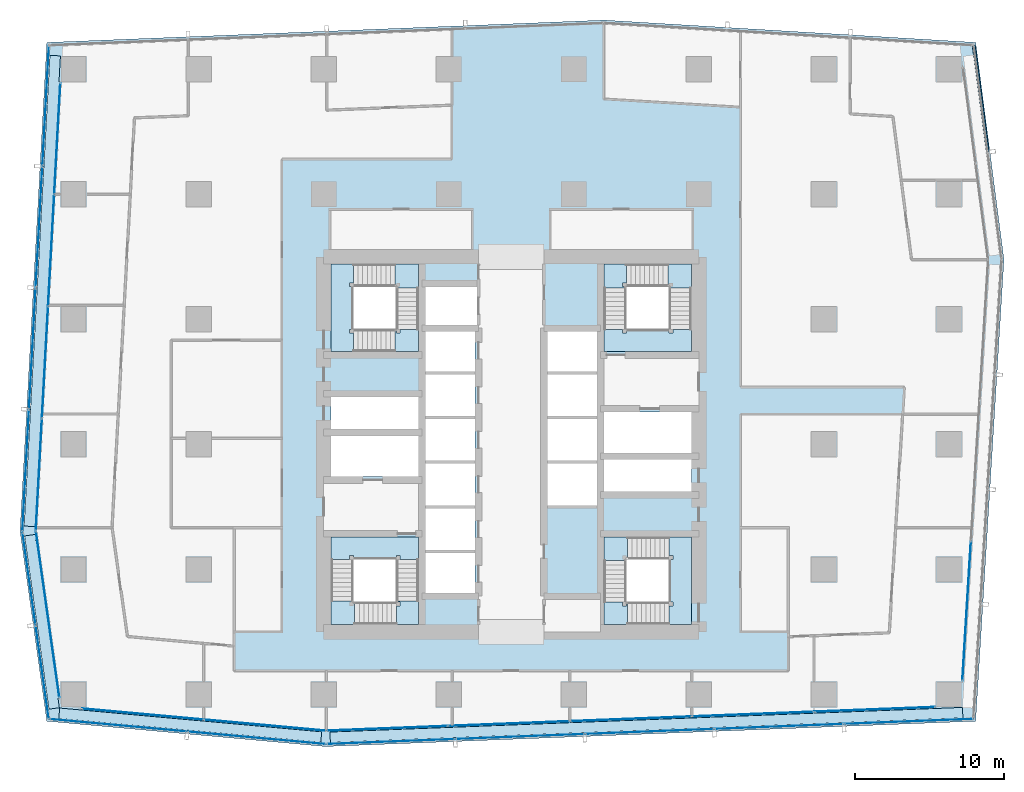
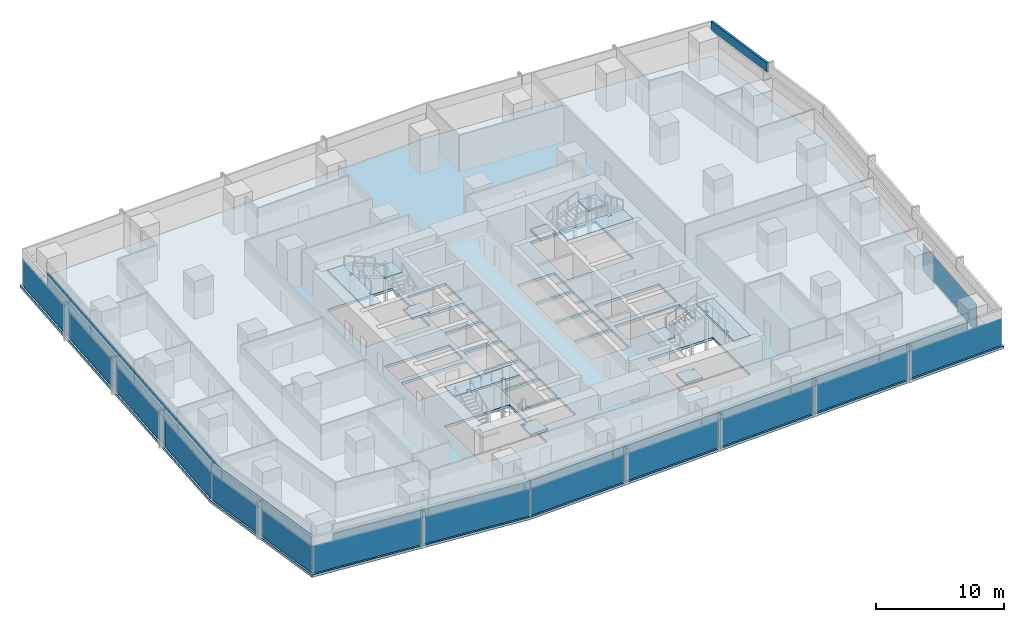
# One storey, part 27 of 40: 30 plates, 13 slabs, 1 member, 14 elements without a shape of their own.
"""IFC4 building model written with IfcOpenShell, lengths in metres."""

from ifc_helpers import new_model, si_unit, direction, frame, origin, origin_2d, place, context, subcontext, project, spatial, polyline, rectangle, hollow_rectangle, outline, extrude, material, layer, layer_set, material_profile, profile_set, type_object, element, aggregate, save


model = new_model("IFC4")

# Units and contexts
model_context = context("Model", 3, precision=1e-05, world=origin(), true_north=direction((0.0, 1.0)))
body_context = subcontext(model_context, "Body", "Model", "MODEL_VIEW")
ifc_project = project(units=[si_unit("LENGTHUNIT", "METRE"), si_unit("AREAUNIT", "SQUARE_METRE"), si_unit("VOLUMEUNIT", "CUBIC_METRE"), si_unit("PLANEANGLEUNIT", "RADIAN"), si_unit("MASSUNIT", "GRAM", prefix="KILO")], contexts=[model_context])

# Site, building, storey
site_placement = place(None, origin())
site = spatial("IfcSite", under=ifc_project, at=site_placement, CompositionType="ELEMENT")
building_placement = place(site_placement, origin())
building = spatial("IfcBuilding", under=site, at=building_placement, Name="Rekha Terrace Tower", CompositionType="ELEMENT")
storey_placement = place(building_placement, frame((0.0, 0.0, 136.550048828125)))
storey = spatial("IfcBuildingStorey", under=building, at=storey_placement, Name="L34", CompositionType="ELEMENT", Elevation=136.550048828125)

# Curtain wall, member
ifc_material_1 = material(Name="Aluminium framing", Category="aluminium")
curtain_wall_type_1 = type_object("IfcCurtainWallType", Name="CW2 double skin outer glazing", PredefinedType="USERDEFINED", material=ifc_material_1)
curtain_wall_1_placement = place(storey_placement, origin())
curtain_wall_1 = element("IfcCurtainWall", 1, at=curtain_wall_1_placement, inside=storey, type_object=curtain_wall_type_1, Name="CW2 double skin outer glazing", ObjectType="DOUBLE SKIN OUTER GLAZING", PredefinedType="USERDEFINED")
ifc_material_2 = material(Name="Insulated aluminium spandrel box", Category="aluminium")
ifc_material_profile = material_profile(ifc_material_2, hollow_rectangle(XDim=0.199951171875, YDim=0.89990234375, WallThickness=0.0029296875, at=origin_2d()), Name="AL SPANDREL BOX 200x900")
ifc_profile_set = profile_set([ifc_material_profile], Name="Insulated aluminium spandrel box")
member_type = type_object("IfcMemberType", Name="CW2 spandrel transom 200 x 900", PredefinedType="USERDEFINED", material=ifc_profile_set)
member_placement = place(storey_placement, frame((69.793701171875, 53.26513671875, 3.050048828125), z_axis=(-0.12912937971, 0.9916277544, 0.0), x_axis=(-0.9916277544, -0.12912937971, 0.0)))
member = element("IfcMember", 2, at=member_placement, type_object=member_type, Name="CW2 spandrel transom 2", ObjectType="TRANSOM", PredefinedType="USERDEFINED", context=body_context, shape_type="SweptSolid", body=[
    extrude(hollow_rectangle(XDim=0.199951171875, YDim=0.89990234375, WallThickness=0.0029296875, at=origin_2d()), origin(), (0.0, 0.0, 1.0), 7.163818359375),
])
aggregate(curtain_wall_1, [member])

# Curtain wall, plates
curtain_wall_type_2 = type_object("IfcCurtainWallType", Name="CW1 double skin inner glazing", PredefinedType="USERDEFINED", material=ifc_material_1)
curtain_wall_2_placement = place(storey_placement, origin())
curtain_wall_2 = element("IfcCurtainWall", 3, at=curtain_wall_2_placement, inside=storey, type_object=curtain_wall_type_2, Name="CW1 double skin inner glazing", ObjectType="DOUBLE SKIN INNER GLAZING", PredefinedType="USERDEFINED")
ifc_material_3 = material(Name="Double-glazed low-e unit 32", Category="glass")
ifc_layer_1 = layer(ifc_material_3, 0.031982421875)
ifc_layer_set_1 = layer_set([ifc_layer_1], Name="Double-glazed low-e unit 32")
plate_type_1 = type_object("IfcPlateType", Name="CW1 jumbo vision panel, double-glazed low-e unit 32", PredefinedType="CURTAIN_PANEL", material=ifc_layer_set_1)
plate_1_placement = place(storey_placement, frame((13.0439453125, 15.479248046875, 0.0), z_axis=(0.0, 0.0, 1.0), x_axis=(0.995901923142, -0.090439811381, 0.0)))
plate_1 = element("IfcPlate", 4, at=plate_1_placement, type_object=plate_type_1, Name="CW1 panel 1.1", PredefinedType="CURTAIN_PANEL", context=body_context, shape_type="SweptSolid", body=[
    extrude(rectangle(XDim=8.1494140625, YDim=0.031982421875, at=origin_2d()), origin(), (0.0, 0.0, 1.0), 2.60009765625),
])
plate_2_placement = place(storey_placement, frame((21.257080078125, 14.7333984375, 0.0), z_axis=(0.0, 0.0, 1.0), x_axis=(0.995901923142, -0.090439811381, 0.0)))
plate_2 = element("IfcPlate", 5, at=plate_2_placement, type_object=plate_type_1, Name="CW1 panel 2.1", PredefinedType="CURTAIN_PANEL", context=body_context, shape_type="SweptSolid", body=[
    extrude(rectangle(XDim=8.214599609375, YDim=0.031982421875, at=origin_2d()), origin(), (0.0, 0.0, 1.0), 2.60009765625),
])
aggregate(curtain_wall_2, [plate_1, plate_2])

curtain_wall_3_placement = place(storey_placement, origin())
curtain_wall_3 = element("IfcCurtainWall", 6, at=curtain_wall_3_placement, inside=storey, type_object=curtain_wall_type_2, Name="CW1 double skin inner glazing", ObjectType="DOUBLE SKIN INNER GLAZING", PredefinedType="USERDEFINED")
plate_3_placement = place(storey_placement, frame((29.4619140625, 14.52197265625, 0.0), z_axis=(0.0, 0.0, 1.0), x_axis=(0.999243498917, 0.038889971345, 0.0)))
plate_3 = element("IfcPlate", 7, at=plate_3_placement, type_object=plate_type_1, Name="CW1 panel 1.1", PredefinedType="CURTAIN_PANEL", context=body_context, shape_type="SweptSolid", body=[
    extrude(rectangle(XDim=8.105224609375, YDim=0.031982421875, at=origin_2d()), origin(), (0.0, 0.0, 1.0), 2.60009765625),
])
plate_4_placement = place(storey_placement, frame((37.64208984375, 14.84033203125, 0.0), z_axis=(0.0, 0.0, 1.0), x_axis=(0.999243498917, 0.038889971345, 0.0)))
plate_4 = element("IfcPlate", 8, at=plate_4_placement, type_object=plate_type_1, Name="CW1 panel 2.1", PredefinedType="CURTAIN_PANEL", context=body_context, shape_type="SweptSolid", body=[
    extrude(rectangle(XDim=8.1376953125, YDim=0.031982421875, at=origin_2d()), origin(), (0.0, 0.0, 1.0), 2.60009765625),
])
plate_5_placement = place(storey_placement, frame((45.838623046875, 15.159423828125, 0.0), z_axis=(0.0, 0.0, 1.0), x_axis=(0.999243498917, 0.038889971345, 0.0)))
plate_5 = element("IfcPlate", 9, at=plate_5_placement, type_object=plate_type_1, Name="CW1 panel 3.1", PredefinedType="CURTAIN_PANEL", context=body_context, shape_type="SweptSolid", body=[
    extrude(rectangle(XDim=8.1376953125, YDim=0.031982421875, at=origin_2d()), origin(), (0.0, 0.0, 1.0), 2.60009765625),
])
plate_6_placement = place(storey_placement, frame((54.034912109375, 15.478271484375, 0.0), z_axis=(0.0, 0.0, 1.0), x_axis=(0.999243498917, 0.038889971345, 0.0)))
plate_6 = element("IfcPlate", 10, at=plate_6_placement, type_object=plate_type_1, Name="CW1 panel 4.1", PredefinedType="CURTAIN_PANEL", context=body_context, shape_type="SweptSolid", body=[
    extrude(rectangle(XDim=8.1376953125, YDim=0.031982421875, at=origin_2d()), origin(), (0.0, 0.0, 1.0), 2.60009765625),
])
plate_7_placement = place(storey_placement, frame((62.21533203125, 15.796630859375, 0.0), z_axis=(0.0, 0.0, 1.0), x_axis=(0.999243498917, 0.038889971345, 0.0)))
plate_7 = element("IfcPlate", 11, at=plate_7_placement, type_object=plate_type_1, Name="CW1 panel 5.1", PredefinedType="CURTAIN_PANEL", context=body_context, shape_type="SweptSolid", body=[
    extrude(rectangle(XDim=8.105224609375, YDim=0.031982421875, at=origin_2d()), origin(), (0.0, 0.0, 1.0), 2.60009765625),
])
aggregate(curtain_wall_3, [plate_3, plate_4, plate_5, plate_6, plate_7])

# Curtain wall, plate
curtain_wall_4_placement = place(storey_placement, origin())
curtain_wall_4 = element("IfcCurtainWall", 12, at=curtain_wall_4_placement, inside=storey, type_object=curtain_wall_type_2, Name="CW1 double skin inner glazing", ObjectType="DOUBLE SKIN INNER GLAZING", PredefinedType="USERDEFINED")
plate_8_placement = place(storey_placement, frame((68.391357421875, 22.400634765625, 0.0), z_axis=(0.0, 0.0, 1.0), x_axis=(0.061159803131, 0.998127987024, 0.0)))
plate_8 = element("IfcPlate", 13, at=plate_8_placement, type_object=plate_type_1, Name="CW1 panel 1.1", PredefinedType="CURTAIN_PANEL", context=body_context, shape_type="SweptSolid", body=[
    extrude(rectangle(XDim=9.355224609375, YDim=0.031982421875, at=origin_2d()), origin(), (0.0, 0.0, 1.0), 2.60009765625),
])
aggregate(curtain_wall_4, [plate_8])

# Curtain wall, plates
curtain_wall_5_placement = place(storey_placement, origin())
curtain_wall_5 = element("IfcCurtainWall", 14, at=curtain_wall_5_placement, inside=storey, type_object=curtain_wall_type_2, Name="CW1 double skin inner glazing", ObjectType="DOUBLE SKIN INNER GLAZING", PredefinedType="USERDEFINED")
plate_9_placement = place(storey_placement, frame((7.30810546875, 54.15087890625, 0.0), z_axis=(0.0, 0.0, 1.0), x_axis=(-0.054742352707, -0.99850051318, 0.0)))
plate_9 = element("IfcPlate", 15, at=plate_9_placement, type_object=plate_type_1, Name="CW1 panel 1.1", PredefinedType="CURTAIN_PANEL", context=body_context, shape_type="SweptSolid", body=[
    extrude(rectangle(XDim=7.443359375, YDim=0.031982421875, at=origin_2d()), origin(), (0.0, 0.0, 1.0), 2.60009765625),
])
plate_10_placement = place(storey_placement, frame((6.89599609375, 46.637451171875, 0.0), z_axis=(0.0, 0.0, 1.0), x_axis=(-0.054742352707, -0.99850051318, 0.0)))
plate_10 = element("IfcPlate", 16, at=plate_10_placement, type_object=plate_type_1, Name="CW1 panel 2.1", PredefinedType="CURTAIN_PANEL", context=body_context, shape_type="SweptSolid", body=[
    extrude(rectangle(XDim=7.475830078125, YDim=0.031982421875, at=origin_2d()), origin(), (0.0, 0.0, 1.0), 2.60009765625),
])
plate_11_placement = place(storey_placement, frame((6.4833984375, 39.10791015625, 0.0), z_axis=(0.0, 0.0, 1.0), x_axis=(-0.054742352707, -0.99850051318, 0.0)))
plate_11 = element("IfcPlate", 17, at=plate_11_placement, type_object=plate_type_1, Name="CW1 panel 3.1", PredefinedType="CURTAIN_PANEL", context=body_context, shape_type="SweptSolid", body=[
    extrude(rectangle(XDim=7.475830078125, YDim=0.031982421875, at=origin_2d()), origin(), (0.0, 0.0, 1.0), 2.60009765625),
])
plate_12_placement = place(storey_placement, frame((6.069580078125, 31.56201171875, 0.0), z_axis=(0.0, 0.0, 1.0), x_axis=(-0.054742352707, -0.99850051318, 0.0)))
plate_12 = element("IfcPlate", 18, at=plate_12_placement, type_object=plate_type_1, Name="CW1 panel 4.1", PredefinedType="CURTAIN_PANEL", context=body_context, shape_type="SweptSolid", body=[
    extrude(rectangle(XDim=7.508544921875, YDim=0.031982421875, at=origin_2d()), origin(), (0.0, 0.0, 1.0), 2.60009765625),
])
aggregate(curtain_wall_5, [plate_9, plate_10, plate_11, plate_12])

# Curtain wall, plate
curtain_wall_6_placement = place(storey_placement, origin())
curtain_wall_6 = element("IfcCurtainWall", 19, at=curtain_wall_6_placement, inside=storey, type_object=curtain_wall_type_2, Name="CW1 double skin inner glazing", ObjectType="DOUBLE SKIN INNER GLAZING", PredefinedType="USERDEFINED")
plate_13_placement = place(storey_placement, frame((6.65869140625, 22.177490234375, 0.0), z_axis=(0.0, 0.0, 1.0), x_axis=(0.139597048082, -0.990208394312, 0.0)))
plate_13 = element("IfcPlate", 20, at=plate_13_placement, type_object=plate_type_1, Name="CW1 panel 1.1", PredefinedType="CURTAIN_PANEL", context=body_context, shape_type="SweptSolid", body=[
    extrude(rectangle(XDim=11.253173828125, YDim=0.031982421875, at=origin_2d()), origin(), (0.0, 0.0, 1.0), 2.60009765625),
])
aggregate(curtain_wall_6, [plate_13])

# Curtain wall, plates
curtain_wall_7_placement = place(storey_placement, origin())
curtain_wall_7 = element("IfcCurtainWall", 21, at=curtain_wall_7_placement, inside=storey, type_object=curtain_wall_type_1, Name="CW2 double skin outer glazing", ObjectType="DOUBLE SKIN OUTER GLAZING", PredefinedType="USERDEFINED")
ifc_material_4 = material(Name="Toughened single glazing 12", Category="glass")
ifc_layer_2 = layer(ifc_material_4, 0.011962890625)
ifc_layer_set_2 = layer_set([ifc_layer_2], Name="Toughened single glazing 12")
plate_type_2 = type_object("IfcPlateType", Name="CW2 jumbo vision panel, toughened single glazing 12", PredefinedType="CURTAIN_PANEL", material=ifc_layer_set_2)
plate_14_placement = place(storey_placement, frame((11.406494140625, 14.72412109375, 0.0), z_axis=(0.0, 0.0, 1.0), x_axis=(0.995901923137, -0.090439811433, 0.0)))
plate_14 = element("IfcPlate", 22, at=plate_14_placement, type_object=plate_type_2, Name="CW2 panel 1.1", PredefinedType="CURTAIN_PANEL", context=body_context, shape_type="SweptSolid", body=[
    extrude(rectangle(XDim=9.2099609375, YDim=0.011962890625, at=origin_2d()), origin(), (0.0, 0.0, 1.0), 2.60009765625),
])
plate_15_placement = place(storey_placement, frame((20.6982421875, 13.88037109375, 0.0), z_axis=(0.0, 0.0, 1.0), x_axis=(0.995901923137, -0.090439811433, 0.0)))
plate_15 = element("IfcPlate", 23, at=plate_15_placement, type_object=plate_type_2, Name="CW2 panel 2.1", PredefinedType="CURTAIN_PANEL", context=body_context, shape_type="SweptSolid", body=[
    extrude(rectangle(XDim=9.2900390625, YDim=0.011962890625, at=origin_2d()), origin(), (0.0, 0.0, 1.0), 2.60009765625),
])
aggregate(curtain_wall_7, [plate_14, plate_15])

curtain_wall_8_placement = place(storey_placement, origin())
curtain_wall_8 = element("IfcCurtainWall", 24, at=curtain_wall_8_placement, inside=storey, type_object=curtain_wall_type_1, Name="CW2 double skin outer glazing", ObjectType="DOUBLE SKIN OUTER GLAZING", PredefinedType="USERDEFINED")
plate_16_placement = place(storey_placement, frame((29.696533203125, 13.63037109375, 0.0), z_axis=(0.0, 0.0, 1.0), x_axis=(0.999243498917, 0.038889971345, 0.0)))
plate_16 = element("IfcPlate", 25, at=plate_16_placement, type_object=plate_type_2, Name="CW2 panel 1.1", PredefinedType="CURTAIN_PANEL", context=body_context, shape_type="SweptSolid", body=[
    extrude(rectangle(XDim=8.591552734375, YDim=0.011962890625, at=origin_2d()), origin(), (0.0, 0.0, 1.0), 2.60009765625),
])
plate_17_placement = place(storey_placement, frame((38.381591796875, 13.968505859375, 0.0), z_axis=(0.0, 0.0, 1.0), x_axis=(0.999243498917, 0.038889971345, 0.0)))
plate_17 = element("IfcPlate", 26, at=plate_17_placement, type_object=plate_type_2, Name="CW2 panel 2.1", PredefinedType="CURTAIN_PANEL", context=body_context, shape_type="SweptSolid", body=[
    extrude(rectangle(XDim=8.631591796875, YDim=0.011962890625, at=origin_2d()), origin(), (0.0, 0.0, 1.0), 2.60009765625),
])
plate_18_placement = place(storey_placement, frame((47.086669921875, 14.307373046875, 0.0), z_axis=(0.0, 0.0, 1.0), x_axis=(0.999243498917, 0.038889971345, 0.0)))
plate_18 = element("IfcPlate", 27, at=plate_18_placement, type_object=plate_type_2, Name="CW2 panel 3.1", PredefinedType="CURTAIN_PANEL", context=body_context, shape_type="SweptSolid", body=[
    extrude(rectangle(XDim=8.631591796875, YDim=0.011962890625, at=origin_2d()), origin(), (0.0, 0.0, 1.0), 2.60009765625),
])
plate_19_placement = place(storey_placement, frame((55.791748046875, 14.64599609375, 0.0), z_axis=(0.0, 0.0, 1.0), x_axis=(0.999243498917, 0.038889971345, 0.0)))
plate_19 = element("IfcPlate", 28, at=plate_19_placement, type_object=plate_type_2, Name="CW2 panel 4.1", PredefinedType="CURTAIN_PANEL", context=body_context, shape_type="SweptSolid", body=[
    extrude(rectangle(XDim=8.631591796875, YDim=0.011962890625, at=origin_2d()), origin(), (0.0, 0.0, 1.0), 2.60009765625),
])
plate_20_placement = place(storey_placement, frame((64.5166015625, 14.985595703125, 0.0), z_axis=(0.0, 0.0, 1.0), x_axis=(0.999243498917, 0.038889971345, 0.0)))
plate_20 = element("IfcPlate", 29, at=plate_20_placement, type_object=plate_type_2, Name="CW2 panel 5.1", PredefinedType="CURTAIN_PANEL", context=body_context, shape_type="SweptSolid", body=[
    extrude(rectangle(XDim=8.671630859375, YDim=0.011962890625, at=origin_2d()), origin(), (0.0, 0.0, 1.0), 2.60009765625),
])
aggregate(curtain_wall_8, [plate_16, plate_17, plate_18, plate_19, plate_20])

curtain_wall_9_placement = place(storey_placement, origin())
curtain_wall_9 = element("IfcCurtainWall", 30, at=curtain_wall_9_placement, inside=storey, type_object=curtain_wall_type_1, Name="CW2 double skin outer glazing", ObjectType="DOUBLE SKIN OUTER GLAZING", PredefinedType="USERDEFINED")
plate_21_placement = place(storey_placement, frame((6.52685546875, 56.342041015625, 0.0), z_axis=(0.0, 0.0, 1.0), x_axis=(-0.054742352707, -0.99850051318, 0.0)))
plate_21 = element("IfcPlate", 31, at=plate_21_placement, type_object=plate_type_2, Name="CW2 panel 1.1", PredefinedType="CURTAIN_PANEL", context=body_context, shape_type="SweptSolid", body=[
    extrude(rectangle(XDim=8.06005859375, YDim=0.011962890625, at=origin_2d()), origin(), (0.0, 0.0, 1.0), 2.60009765625),
])
plate_22_placement = place(storey_placement, frame((6.080078125, 48.1943359375, 0.0), z_axis=(0.0, 0.0, 1.0), x_axis=(-0.054742352707, -0.99850051318, 0.0)))
plate_22 = element("IfcPlate", 32, at=plate_22_placement, type_object=plate_type_2, Name="CW2 panel 2.1", PredefinedType="CURTAIN_PANEL", context=body_context, shape_type="SweptSolid", body=[
    extrude(rectangle(XDim=8.10009765625, YDim=0.011962890625, at=origin_2d()), origin(), (0.0, 0.0, 1.0), 2.60009765625),
])
plate_23_placement = place(storey_placement, frame((5.63232421875, 40.026611328125, 0.0), z_axis=(0.0, 0.0, 1.0), x_axis=(-0.054742352707, -0.99850051318, 0.0)))
plate_23 = element("IfcPlate", 33, at=plate_23_placement, type_object=plate_type_2, Name="CW2 panel 3.1", PredefinedType="CURTAIN_PANEL", context=body_context, shape_type="SweptSolid", body=[
    extrude(rectangle(XDim=8.10009765625, YDim=0.011962890625, at=origin_2d()), origin(), (0.0, 0.0, 1.0), 2.60009765625),
])
plate_24_placement = place(storey_placement, frame((5.183349609375, 31.8388671875, 0.0), z_axis=(0.0, 0.0, 1.0), x_axis=(-0.054742352707, -0.99850051318, 0.0)))
plate_24 = element("IfcPlate", 34, at=plate_24_placement, type_object=plate_type_2, Name="CW2 panel 4.1", PredefinedType="CURTAIN_PANEL", context=body_context, shape_type="SweptSolid", body=[
    extrude(rectangle(XDim=8.14013671875, YDim=0.011962890625, at=origin_2d()), origin(), (0.0, 0.0, 1.0), 2.60009765625),
])
aggregate(curtain_wall_9, [plate_21, plate_22, plate_23, plate_24])

curtain_wall_10_placement = place(storey_placement, origin())
curtain_wall_10 = element("IfcCurtainWall", 35, at=curtain_wall_10_placement, inside=storey, type_object=curtain_wall_type_1, Name="CW2 double skin outer glazing", ObjectType="DOUBLE SKIN OUTER GLAZING", PredefinedType="USERDEFINED")
plate_25_placement = place(storey_placement, frame((5.408447265625, 24.598388671875, 0.0), z_axis=(0.0, 0.0, 1.0), x_axis=(0.139597048082, -0.990208394312, 0.0)))
plate_25 = element("IfcPlate", 36, at=plate_25_placement, type_object=plate_type_2, Name="CW2 panel 1.1", PredefinedType="CURTAIN_PANEL", context=body_context, shape_type="SweptSolid", body=[
    extrude(rectangle(XDim=6.255859375, YDim=0.011962890625, at=origin_2d()), origin(), (0.0, 0.0, 1.0), 2.60009765625),
])
plate_26_placement = place(storey_placement, frame((6.298583984375, 18.284912109375, 0.0), z_axis=(0.0, 0.0, 1.0), x_axis=(0.139597048082, -0.990208394312, 0.0)))
plate_26 = element("IfcPlate", 37, at=plate_26_placement, type_object=plate_type_2, Name="CW2 panel 2.1", PredefinedType="CURTAIN_PANEL", context=body_context, shape_type="SweptSolid", body=[
    extrude(rectangle(XDim=6.3359375, YDim=0.011962890625, at=origin_2d()), origin(), (0.0, 0.0, 1.0), 2.60009765625),
])
aggregate(curtain_wall_10, [plate_25, plate_26])

# Plates
ifc_material_5 = material(Name="Galvanised steel open grating", Category="steel")
ifc_layer_3 = layer(ifc_material_5, 0.050048828125)
ifc_layer_set_3 = layer_set([ifc_layer_3], Name="Galvanised steel open grating")
plate_type_3 = type_object("IfcPlateType", Name="GT1 cavity walkway grating 50", PredefinedType="USERDEFINED", material=ifc_layer_set_3)
plate_27_placement = place(storey_placement, frame((16.236083984375, 14.737548828125, 0.0), z_axis=(0.0, 0.0, 1.0), x_axis=(0.99590192314, -0.090439811399, 0.0)))
element("IfcPlate", 38, at=plate_27_placement, inside=storey, type_object=plate_type_3, Name="Cavity walkway grating", ObjectType="CAVITY WALKWAY GRATING", PredefinedType="USERDEFINED", context=body_context, shape_type="SweptSolid", body=[
    extrude(rectangle(XDim=17.674072265625, YDim=0.705078125, at=origin_2d()), origin(), (0.0, 0.0, 1.0), 0.050048828125),
])
plate_28_placement = place(storey_placement, frame((46.88037109375, 14.74951171875, 0.0), z_axis=(0.0, 0.0, 1.0), x_axis=(0.999243498917, 0.038889971345, 0.0)))
element("IfcPlate", 39, at=plate_28_placement, inside=storey, type_object=plate_type_3, Name="Cavity walkway grating", ObjectType="CAVITY WALKWAY GRATING", PredefinedType="USERDEFINED", context=body_context, shape_type="SweptSolid", body=[
    extrude(rectangle(XDim=42.521728515625, YDim=0.705078125, at=origin_2d()), origin(), (0.0, 0.0, 1.0), 0.050048828125),
])
plate_29_placement = place(storey_placement, frame((6.295654296875, 43.9033203125, 0.0), z_axis=(0.0, 0.0, 1.0), x_axis=(-0.05474235269, -0.998500513181, 0.0)))
element("IfcPlate", 40, at=plate_29_placement, inside=storey, type_object=plate_type_3, Name="Cavity walkway grating", ObjectType="CAVITY WALKWAY GRATING", PredefinedType="USERDEFINED", context=body_context, shape_type="SweptSolid", body=[
    extrude(rectangle(XDim=31.6669921875, YDim=0.705078125, at=origin_2d()), origin(), (0.0, 0.0, 1.0), 0.050048828125),
])
plate_30_placement = place(storey_placement, frame((6.2744140625, 21.678955078125, 0.0), z_axis=(0.0, 0.0, 1.0), x_axis=(0.139597048064, -0.990208394315, 0.0)))
element("IfcPlate", 41, at=plate_30_placement, inside=storey, type_object=plate_type_3, Name="Cavity walkway grating", ObjectType="CAVITY WALKWAY GRATING", PredefinedType="USERDEFINED", context=body_context, shape_type="SweptSolid", body=[
    extrude(rectangle(XDim=11.751220703125, YDim=0.705078125, at=origin_2d()), origin(), (0.0, 0.0, 1.0), 0.050048828125),
])

# Stair, slabs
ifc_material_6 = material(Name="Concrete M40", Category="concrete")
stair_type = type_object("IfcStairType", Name="ST30 stair, 30 risers of 125, going 310, 1500 wide flights, 3 flights", PredefinedType="HALF_TURN_STAIR", material=ifc_material_6)
stair_1_placement = place(storey_placement, origin())
stair_1 = element("IfcStair", 42, at=stair_1_placement, inside=storey, type_object=stair_type, Name="Stair ST1 L34 to L35", PredefinedType="HALF_TURN_STAIR")
ifc_layer_4 = layer(ifc_material_6, 0.199951171875)
ifc_layer_set_4 = layer_set([ifc_layer_4], Name="Concrete M40")
slab_type_1 = type_object("IfcSlabType", Name="LD1 200 concrete stair landing", PredefinedType="LANDING", material=ifc_layer_set_4)
slab_1_placement = place(storey_placement, frame((0.0, 0.0, 1.050048828125)))
slab_1 = element("IfcSlab", 43, at=slab_1_placement, type_object=slab_type_1, Name="ST1 landing 1", PredefinedType="LANDING", context=body_context, shape_type="SweptSolid", body=[
    extrude(outline(polyline([(30.074951171875, 21.5), (31.574951171875, 21.5), (31.574951171875, 23.0849609375), (30.074951171875, 23.0849609375), (30.074951171875, 23.0), (30.324951171875, 23.0), (30.324951171875, 22.75), (30.074951171875, 22.75), (30.074951171875, 21.5)])), origin(), (0.0, 0.0, 1.0), 0.199951171875),
])
slab_2_placement = place(storey_placement, frame((0.0, 0.0, 2.300048828125)))
slab_2 = element("IfcSlab", 44, at=slab_2_placement, type_object=slab_type_1, Name="ST1 landing 2", PredefinedType="LANDING", context=body_context, shape_type="SweptSolid", body=[
    extrude(outline(polyline([(27.199951171875, 23.0849609375), (25.699951171875, 23.0849609375), (25.699951171875, 21.5), (27.284912109375, 21.5), (27.284912109375, 23.0), (27.199951171875, 23.0), (27.199951171875, 23.0849609375)])), origin(), (0.0, 0.0, 1.0), 0.199951171875),
])
slab_3_placement = place(storey_placement, frame((0.0, 0.0, 3.550048828125)))
slab_3 = element("IfcSlab", 45, at=slab_3_placement, type_object=slab_type_1, Name="ST1 landing 3", PredefinedType="LANDING", context=body_context, shape_type="SweptSolid", body=[
    extrude(outline(polyline([(31.574951171875, 25.875), (31.574951171875, 27.375), (25.699951171875, 27.375), (25.699951171875, 25.875), (26.949951171875, 25.875), (26.949951171875, 26.125), (27.199951171875, 26.125), (27.199951171875, 25.875), (30.074951171875, 25.875), (30.074951171875, 26.125), (30.324951171875, 26.125), (30.324951171875, 25.875), (31.574951171875, 25.875)])), origin(), (0.0, 0.0, 1.0), 0.199951171875),
])
aggregate(stair_1, [slab_1, slab_2, slab_3])

stair_2_placement = place(storey_placement, origin())
stair_2 = element("IfcStair", 46, at=stair_2_placement, inside=storey, type_object=stair_type, Name="Stair ST2 L34 to L35", PredefinedType="HALF_TURN_STAIR")
slab_4_placement = place(storey_placement, frame((0.0, 0.0, 1.050048828125)))
slab_4 = element("IfcSlab", 47, at=slab_4_placement, type_object=slab_type_1, Name="ST2 landing 1", PredefinedType="LANDING", context=body_context, shape_type="SweptSolid", body=[
    extrude(outline(polyline([(45.52490234375, 45.699951171875), (44.02490234375, 45.699951171875), (44.02490234375, 44.114990234375), (45.52490234375, 44.114990234375), (45.52490234375, 44.199951171875), (45.27490234375, 44.199951171875), (45.27490234375, 44.449951171875), (45.52490234375, 44.449951171875), (45.52490234375, 45.699951171875)])), origin(), (0.0, 0.0, 1.0), 0.199951171875),
])
slab_5_placement = place(storey_placement, frame((0.0, 0.0, 2.300048828125)))
slab_5 = element("IfcSlab", 48, at=slab_5_placement, type_object=slab_type_1, Name="ST2 landing 2", PredefinedType="LANDING", context=body_context, shape_type="SweptSolid", body=[
    extrude(outline(polyline([(48.39990234375, 44.114990234375), (49.89990234375, 44.114990234375), (49.89990234375, 45.699951171875), (48.31494140625, 45.699951171875), (48.31494140625, 44.199951171875), (48.39990234375, 44.199951171875), (48.39990234375, 44.114990234375)])), origin(), (0.0, 0.0, 1.0), 0.199951171875),
])
slab_6_placement = place(storey_placement, frame((0.0, 0.0, 3.550048828125)))
slab_6 = element("IfcSlab", 49, at=slab_6_placement, type_object=slab_type_1, Name="ST2 landing 3", PredefinedType="LANDING", context=body_context, shape_type="SweptSolid", body=[
    extrude(outline(polyline([(44.02490234375, 41.324951171875), (44.02490234375, 39.824951171875), (49.89990234375, 39.824951171875), (49.89990234375, 41.324951171875), (48.64990234375, 41.324951171875), (48.64990234375, 41.074951171875), (48.39990234375, 41.074951171875), (48.39990234375, 41.324951171875), (45.52490234375, 41.324951171875), (45.52490234375, 41.074951171875), (45.27490234375, 41.074951171875), (45.27490234375, 41.324951171875), (44.02490234375, 41.324951171875)])), origin(), (0.0, 0.0, 1.0), 0.199951171875),
])
aggregate(stair_2, [slab_4, slab_5, slab_6])

stair_3_placement = place(storey_placement, origin())
stair_3 = element("IfcStair", 50, at=stair_3_placement, inside=storey, type_object=stair_type, Name="Stair ST3 L34 to L35", PredefinedType="HALF_TURN_STAIR")
slab_7_placement = place(storey_placement, frame((0.0, 0.0, 1.050048828125)))
slab_7 = element("IfcSlab", 51, at=slab_7_placement, type_object=slab_type_1, Name="ST3 landing 1", PredefinedType="LANDING", context=body_context, shape_type="SweptSolid", body=[
    extrude(outline(polyline([(44.02490234375, 23.0), (44.02490234375, 21.5), (45.610107421875, 21.5), (45.610107421875, 23.0), (45.52490234375, 23.0), (45.52490234375, 22.75), (45.27490234375, 22.75), (45.27490234375, 23.0), (44.02490234375, 23.0)])), origin(), (0.0, 0.0, 1.0), 0.199951171875),
])
slab_8_placement = place(storey_placement, frame((0.0, 0.0, 2.300048828125)))
slab_8 = element("IfcSlab", 52, at=slab_8_placement, type_object=slab_type_1, Name="ST3 landing 2", PredefinedType="LANDING", context=body_context, shape_type="SweptSolid", body=[
    extrude(outline(polyline([(45.610107421875, 25.875), (45.610107421875, 27.375), (44.02490234375, 27.375), (44.02490234375, 25.7900390625), (45.52490234375, 25.7900390625), (45.52490234375, 25.875), (45.610107421875, 25.875)])), origin(), (0.0, 0.0, 1.0), 0.199951171875),
])
slab_9_placement = place(storey_placement, frame((0.0, 0.0, 3.550048828125)))
slab_9 = element("IfcSlab", 53, at=slab_9_placement, type_object=slab_type_1, Name="ST3 landing 3", PredefinedType="LANDING", context=body_context, shape_type="SweptSolid", body=[
    extrude(outline(polyline([(48.39990234375, 21.5), (49.89990234375, 21.5), (49.89990234375, 27.375), (48.39990234375, 27.375), (48.39990234375, 26.125), (48.64990234375, 26.125), (48.64990234375, 25.875), (48.39990234375, 25.875), (48.39990234375, 23.0), (48.64990234375, 23.0), (48.64990234375, 22.75), (48.39990234375, 22.75), (48.39990234375, 21.5)])), origin(), (0.0, 0.0, 1.0), 0.199951171875),
])
aggregate(stair_3, [slab_7, slab_8, slab_9])

stair_4_placement = place(storey_placement, origin())
stair_4 = element("IfcStair", 54, at=stair_4_placement, inside=storey, type_object=stair_type, Name="Stair ST4 L34 to L35", PredefinedType="HALF_TURN_STAIR")
slab_10_placement = place(storey_placement, frame((0.0, 0.0, 1.050048828125)))
slab_10 = element("IfcSlab", 55, at=slab_10_placement, type_object=slab_type_1, Name="ST4 landing 1", PredefinedType="LANDING", context=body_context, shape_type="SweptSolid", body=[
    extrude(outline(polyline([(31.574951171875, 41.324951171875), (31.574951171875, 39.824951171875), (29.989990234375, 39.824951171875), (29.989990234375, 41.324951171875), (30.074951171875, 41.324951171875), (30.074951171875, 41.074951171875), (30.324951171875, 41.074951171875), (30.324951171875, 41.324951171875), (31.574951171875, 41.324951171875)])), origin(), (0.0, 0.0, 1.0), 0.199951171875),
])
slab_11_placement = place(storey_placement, frame((0.0, 0.0, 2.300048828125)))
slab_11 = element("IfcSlab", 56, at=slab_11_placement, type_object=slab_type_1, Name="ST4 landing 2", PredefinedType="LANDING", context=body_context, shape_type="SweptSolid", body=[
    extrude(outline(polyline([(29.989990234375, 44.199951171875), (29.989990234375, 45.699951171875), (31.574951171875, 45.699951171875), (31.574951171875, 44.114990234375), (30.074951171875, 44.114990234375), (30.074951171875, 44.199951171875), (29.989990234375, 44.199951171875)])), origin(), (0.0, 0.0, 1.0), 0.199951171875),
])
slab_12_placement = place(storey_placement, frame((0.0, 0.0, 3.550048828125)))
slab_12 = element("IfcSlab", 57, at=slab_12_placement, type_object=slab_type_1, Name="ST4 landing 3", PredefinedType="LANDING", context=body_context, shape_type="SweptSolid", body=[
    extrude(outline(polyline([(27.199951171875, 39.824951171875), (25.699951171875, 39.824951171875), (25.699951171875, 45.699951171875), (27.199951171875, 45.699951171875), (27.199951171875, 44.449951171875), (26.949951171875, 44.449951171875), (26.949951171875, 44.199951171875), (27.199951171875, 44.199951171875), (27.199951171875, 41.324951171875), (26.949951171875, 41.324951171875), (26.949951171875, 41.074951171875), (27.199951171875, 41.074951171875), (27.199951171875, 39.824951171875)])), origin(), (0.0, 0.0, 1.0), 0.199951171875),
])
aggregate(stair_4, [slab_10, slab_11, slab_12])

# Slab
ifc_material_7 = material(Name="Concrete M50", Category="concrete")
ifc_layer_5 = layer(ifc_material_7, 0.25)
ifc_layer_set_5 = layer_set([ifc_layer_5], Name="Concrete M50")
slab_type_2 = type_object("IfcSlabType", Name="SL4 250 post-tensioned flat plate", PredefinedType="FLOOR", material=ifc_layer_set_5)
slab_13_placement = place(storey_placement, frame((0.0, 0.0, -0.25)))
element("IfcSlab", 58, at=slab_13_placement, inside=storey, type_object=slab_type_2, Name="Post-tensioned flat plate L34", PredefinedType="FLOOR", context=body_context, shape_type="SweptSolid", body=[
    extrude(outline(polyline([(4.800048828125, 27.76806640625), (6.60009765625, 15.0), (25.320068359375, 13.300048828125), (69.0, 15.0), (70.89990234375, 46.008056640625), (69.0, 60.60009765625), (44.0400390625, 62.10009765625), (6.60009765625, 60.60009765625), (4.800048828125, 27.76806640625)]), holes=[polyline([(31.574951171875, 27.375), (31.574951171875, 21.5), (25.699951171875, 21.5), (25.699951171875, 27.375), (31.574951171875, 27.375)]), polyline([(35.375, 26.300048828125), (35.375, 23.625), (32.02490234375, 23.625), (32.02490234375, 26.300048828125), (35.375, 26.300048828125)]), polyline([(35.375, 29.300048828125), (35.375, 26.5), (32.02490234375, 26.5), (32.02490234375, 29.300048828125), (35.375, 29.300048828125)]), polyline([(35.375, 32.300048828125), (35.375, 29.5), (32.02490234375, 29.5), (32.02490234375, 32.300048828125), (35.375, 32.300048828125)]), polyline([(31.574951171875, 34.175048828125), (31.574951171875, 31.425048828125), (25.699951171875, 31.425048828125), (25.699951171875, 34.175048828125), (31.574951171875, 34.175048828125)]), polyline([(35.375, 35.300048828125), (35.375, 32.5), (32.02490234375, 32.5), (32.02490234375, 35.300048828125), (35.375, 35.300048828125)]), polyline([(31.574951171875, 36.77490234375), (31.574951171875, 34.625), (25.699951171875, 34.625), (25.699951171875, 36.77490234375), (31.574951171875, 36.77490234375)]), polyline([(35.375, 35.5), (32.02490234375, 35.5), (32.02490234375, 38.300048828125), (35.375, 38.300048828125), (35.375, 35.5)]), polyline([(35.375, 38.5), (32.02490234375, 38.5), (32.02490234375, 41.175048828125), (35.375, 41.175048828125), (35.375, 38.5)]), polyline([(31.574951171875, 45.699951171875), (31.574951171875, 39.824951171875), (25.699951171875, 39.824951171875), (25.699951171875, 45.699951171875), (31.574951171875, 45.699951171875)]), polyline([(49.89990234375, 27.375), (49.89990234375, 21.5), (44.02490234375, 21.5), (44.02490234375, 27.375), (49.89990234375, 27.375)]), polyline([(43.574951171875, 32.300048828125), (43.574951171875, 29.5), (40.22509765625, 29.5), (40.22509765625, 32.300048828125), (43.574951171875, 32.300048828125)]), polyline([(49.89990234375, 30.425048828125), (44.02490234375, 30.425048828125), (44.02490234375, 32.574951171875), (49.89990234375, 32.574951171875), (49.89990234375, 30.425048828125)]), polyline([(43.574951171875, 32.5), (40.22509765625, 32.5), (40.22509765625, 35.300048828125), (43.574951171875, 35.300048828125), (43.574951171875, 32.5)]), polyline([(49.89990234375, 35.77490234375), (49.89990234375, 33.02490234375), (44.02490234375, 33.02490234375), (44.02490234375, 35.77490234375), (49.89990234375, 35.77490234375)]), polyline([(43.574951171875, 38.300048828125), (43.574951171875, 35.5), (40.22509765625, 35.5), (40.22509765625, 38.300048828125), (43.574951171875, 38.300048828125)]), polyline([(43.574951171875, 41.175048828125), (43.574951171875, 38.5), (40.22509765625, 38.5), (40.22509765625, 41.175048828125), (43.574951171875, 41.175048828125)]), polyline([(49.89990234375, 39.824951171875), (44.02490234375, 39.824951171875), (44.02490234375, 45.699951171875), (49.89990234375, 45.699951171875), (49.89990234375, 39.824951171875)]), polyline([(35.5, 41.625), (32.02490234375, 41.625), (32.02490234375, 44.175048828125), (35.5, 44.175048828125), (35.5, 41.625)])]), origin(), (0.0, 0.0, 1.0), 0.25),
])

save(model, "model.ifc")
